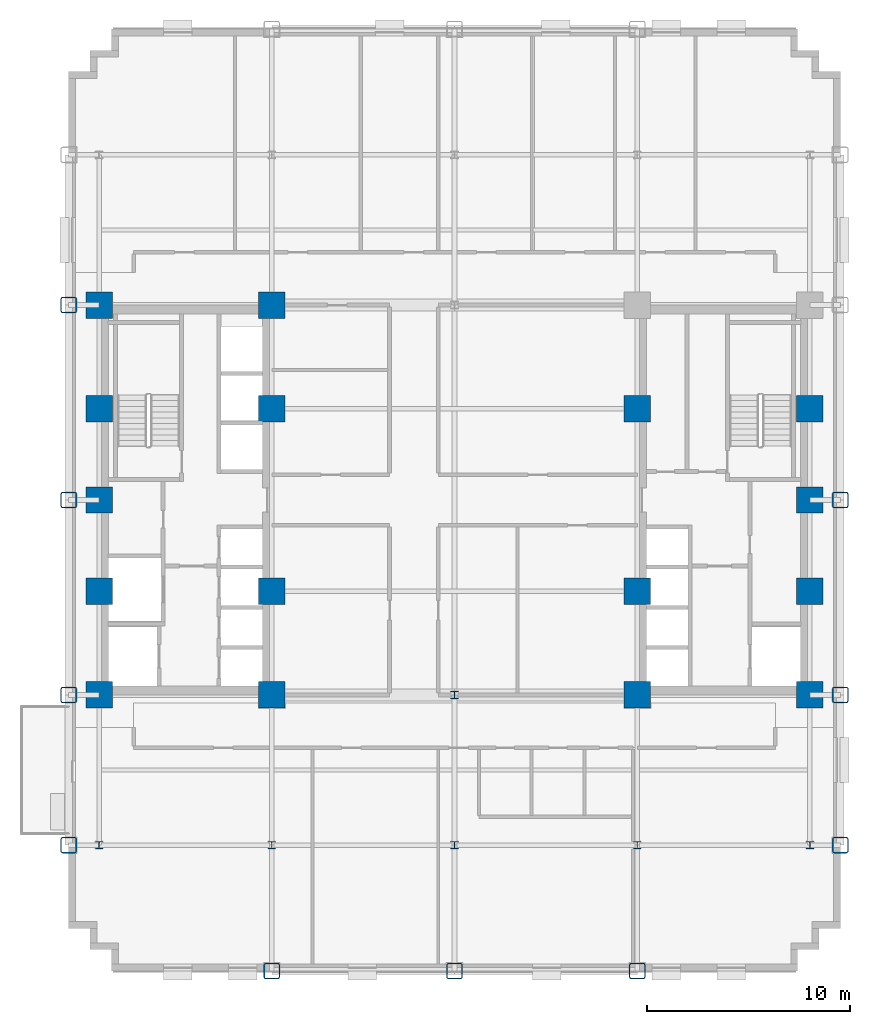
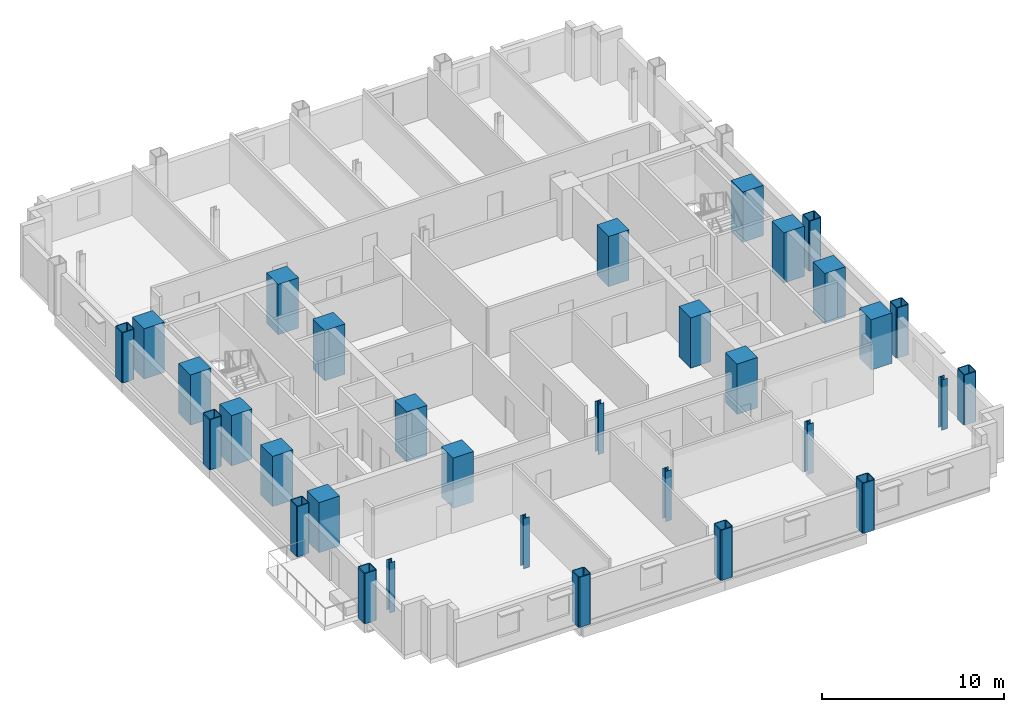
# One storey, part 1 of 12: 32 columns.
"""IFC4 building model written with IfcOpenShell, lengths in metres."""

from ifc_helpers import new_model, si_unit, direction, frame, origin, origin_2d, place, context, subcontext, project, spatial, rectangle, hollow_rectangle, i_section, extrude, material, material_profile, profile_set, type_object, element, save


model = new_model("IFC4")

# Units and contexts
model_context = context("Model", 3, precision=1e-05, world=origin(), true_north=direction((0.0, 1.0)))
body_context = subcontext(model_context, "Body", "Model", "MODEL_VIEW")
ifc_project = project(units=[si_unit("LENGTHUNIT", "METRE"), si_unit("AREAUNIT", "SQUARE_METRE"), si_unit("VOLUMEUNIT", "CUBIC_METRE"), si_unit("PLANEANGLEUNIT", "RADIAN"), si_unit("MASSUNIT", "GRAM", prefix="KILO")], contexts=[model_context])

# Site, building, storey
site_placement = place(None, origin())
site = spatial("IfcSite", under=ifc_project, at=site_placement, CompositionType="ELEMENT")
building_placement = place(site_placement, origin())
building = spatial("IfcBuilding", under=site, at=building_placement, Name="Nuvemarco Arch Tower", CompositionType="ELEMENT")
storey_placement = place(building_placement, frame((0.0, 0.0, 31.25)))
storey = spatial("IfcBuildingStorey", under=building, at=storey_placement, Name="L07", CompositionType="ELEMENT", Elevation=31.25)

# Columns
ifc_material_1 = material(Name="Concrete C60/75", Category="concrete")
ifc_material_profile_1 = material_profile(ifc_material_1, rectangle(XDim=1.300048828125, YDim=1.300048828125, at=origin_2d()), Name="RC-COL-1300x1300")
ifc_profile_set_1 = profile_set([ifc_material_profile_1], Name="Concrete C60/75")
column_type_1 = type_object("IfcColumnType", Name="COL-CORE-1300", PredefinedType="COLUMN", material=ifc_profile_set_1)
for number, where, z_axis, x_axis, name in (
    (1, (-17.5, -9.60009765625, 0.0), (0.0, 0.0, 1.0), (1.0, 0.0, 0.0), "L07 column CC_-17.5_-9.6"),
    (2, (-17.5, -4.5, 0.0), (0.0, 0.0, 1.0), (1.0, 0.0, 0.0), "L07 column CC_-17.5_-4.5"),
    (3, (-17.5, 4.5, 0.0), (0.0, 0.0, 1.0), (1.0, 0.0, 0.0), "L07 column CC_-17.5_+4.5"),
    (4, (-17.5, 9.60009765625, 0.0), (0.0, 0.0, 1.0), (1.0, 0.0, 0.0), "L07 column CC_-17.5_+9.6"),
    (5, (-9.0, -9.60009765625, 0.0), (0.0, 0.0, 1.0), (1.0, 0.0, 0.0), "L07 column CC_-9.0_-9.6"),
    (6, (-9.0, -4.5, 0.0), (0.0, 0.0, 1.0), (1.0, 0.0, 0.0), "L07 column CC_-9.0_-4.5"),
    (7, (-9.0, 4.5, 0.0), (0.0, 0.0, 1.0), (1.0, 0.0, 0.0), "L07 column CC_-9.0_+4.5"),
    (8, (-9.0, 9.60009765625, 0.0), (0.0, 0.0, 1.0), (1.0, 0.0, 0.0), "L07 column CC_-9.0_+9.6"),
    (9, (9.0, -9.60009765625, 0.0), (0.0, 0.0, 1.0), (1.0, 0.0, 0.0), "L07 column CC_+9.0_-9.6"),
    (10, (9.0, -4.5, 0.0), (0.0, 0.0, 1.0), (1.0, 0.0, 0.0), "L07 column CC_+9.0_-4.5"),
    (11, (9.0, 4.5, 0.0), (0.0, 0.0, 1.0), (1.0, 0.0, 0.0), "L07 column CC_+9.0_+4.5"),
    (12, (17.5, -9.60009765625, 0.0), (0.0, 0.0, 1.0), (1.0, 0.0, 0.0), "L07 column CC_+17.5_-9.6"),
    (13, (17.5, -4.5, 0.0), (0.0, 0.0, 1.0), (1.0, 0.0, 0.0), "L07 column CC_+17.5_-4.5"),
    (14, (17.5, 4.5, 0.0), (0.0, 0.0, 1.0), (1.0, 0.0, 0.0), "L07 column CC_+17.5_+4.5"),
    (15, (-17.5, 0.0, 0.0), (0.0, 0.0, 1.0), (1.0, 0.0, 0.0), "L07 column CC_-17.5_+0.0"),
    (16, (17.5, 0.0, 0.0), (0.0, 0.0, 1.0), (1.0, 0.0, 0.0), "L07 column CC_+17.5_+0.0"),
):
    element("IfcColumn", number, at=place(storey_placement, frame(where, z_axis=z_axis, x_axis=x_axis)), inside=storey, type_object=column_type_1, Name=name, PredefinedType="COLUMN", context=body_context, shape_type="SweptSolid", body=[
        extrude(rectangle(XDim=1.300048828125, YDim=1.300048828125, at=origin_2d()), origin(), (0.0, 0.0, 1.0), 3.3701171875),
    ])
ifc_material_2 = material(Name="Steel S460", Category="steel")
ifc_material_profile_2 = material_profile(ifc_material_2, hollow_rectangle(XDim=0.800048828125, YDim=0.800048828125, WallThickness=0.054931640625, InnerFilletRadius=0.054931640625, OuterFilletRadius=0.110107421875, at=origin_2d()), Name="SHS800x800x55")
ifc_profile_set_2 = profile_set([ifc_material_profile_2], Name="Steel S460")
column_type_2 = type_object("IfcColumnType", Name="COL-EXO-800", PredefinedType="COLUMN", material=ifc_profile_set_2)
for number, where, z_axis, x_axis, name in (
    (17, (-19.0, -17.0, 0.0), (0.0, 0.0, 1.0), (1.0, 0.0, 0.0), "L07 column CX_-19.0_-17.0"),
    (18, (-19.0, -9.60009765625, 0.0), (0.0, 0.0, 1.0), (1.0, 0.0, 0.0), "L07 column CX_-19.0_-9.6"),
    (19, (-19.0, 0.0, 0.0), (0.0, 0.0, 1.0), (1.0, 0.0, 0.0), "L07 column CX_-19.0_+0.0"),
    (20, (-19.0, 9.60009765625, 0.0), (0.0, 0.0, 1.0), (1.0, 0.0, 0.0), "L07 column CX_-19.0_+9.6"),
    (21, (19.0, -17.0, 0.0), (0.0, 0.0, 1.0), (1.0, 0.0, 0.0), "L07 column CX_+19.0_-17.0"),
    (22, (19.0, -9.60009765625, 0.0), (0.0, 0.0, 1.0), (1.0, 0.0, 0.0), "L07 column CX_+19.0_-9.6"),
    (23, (19.0, 0.0, 0.0), (0.0, 0.0, 1.0), (1.0, 0.0, 0.0), "L07 column CX_+19.0_+0.0"),
    (24, (-9.0, -23.199951171875, 0.0), (0.0, 0.0, 1.0), (1.0, 0.0, 0.0), "L07 column CY_-9.0_-23.2"),
    (25, (0.0, -23.199951171875, 0.0), (0.0, 0.0, 1.0), (1.0, 0.0, 0.0), "L07 column CY_+0.0_-23.2"),
    (26, (9.0, -23.199951171875, 0.0), (0.0, 0.0, 1.0), (1.0, 0.0, 0.0), "L07 column CY_+9.0_-23.2"),
):
    element("IfcColumn", number, at=place(storey_placement, frame(where, z_axis=z_axis, x_axis=x_axis)), inside=storey, type_object=column_type_2, Name=name, PredefinedType="COLUMN", context=body_context, shape_type="SweptSolid", body=[
        extrude(hollow_rectangle(XDim=0.800048828125, YDim=0.800048828125, WallThickness=0.054931640625, InnerFilletRadius=0.054931640625, OuterFilletRadius=0.110107421875, at=origin_2d()), origin(), (0.0, 0.0, 1.0), 3.3701171875),
    ])
ifc_material_3 = material(Name="Steel S355", Category="steel")
ifc_material_profile_3 = material_profile(ifc_material_3, i_section(OverallWidth=0.360107421875, OverallDepth=0.360107421875, WebThickness=0.0205078125, FlangeThickness=0.0205078125, FilletRadius=0.01806640625, at=origin_2d()), Name="HP360x174")
ifc_profile_set_3 = profile_set([ifc_material_profile_3], Name="Steel S355")
column_type_3 = type_object("IfcColumnType", Name="COL-STL-HP360", PredefinedType="COLUMN", material=ifc_profile_set_3)
for number, where, z_axis, x_axis, name in (
    (27, (0.0, -17.0, 0.0), (0.0, 0.0, 1.0), (1.0, 0.0, 0.0), "L07 column CI_+0.0_-17.0"),
    (28, (0.0, -9.60009765625, 0.0), (0.0, 0.0, 1.0), (1.0, 0.0, 0.0), "L07 column CI_+0.0_-9.6"),
    (29, (-17.5, -17.0, 0.0), (0.0, 0.0, 1.0), (1.0, 0.0, 0.0), "L07 column CI_-17.5_-17.0"),
    (30, (-9.0, -17.0, 0.0), (0.0, 0.0, 1.0), (1.0, 0.0, 0.0), "L07 column CI_-9.0_-17.0"),
    (31, (9.0, -17.0, 0.0), (0.0, 0.0, 1.0), (1.0, 0.0, 0.0), "L07 column CI_+9.0_-17.0"),
    (32, (17.5, -17.0, 0.0), (0.0, 0.0, 1.0), (1.0, 0.0, 0.0), "L07 column CI_+17.5_-17.0"),
):
    element("IfcColumn", number, at=place(storey_placement, frame(where, z_axis=z_axis, x_axis=x_axis)), inside=storey, type_object=column_type_3, Name=name, PredefinedType="COLUMN", context=body_context, shape_type="SweptSolid", body=[
        extrude(i_section(OverallWidth=0.360107421875, OverallDepth=0.360107421875, WebThickness=0.0205078125, FlangeThickness=0.0205078125, FilletRadius=0.01806640625, at=origin_2d()), origin(), (0.0, 0.0, 1.0), 3.3701171875),
    ])

save(model, "model.ifc")
